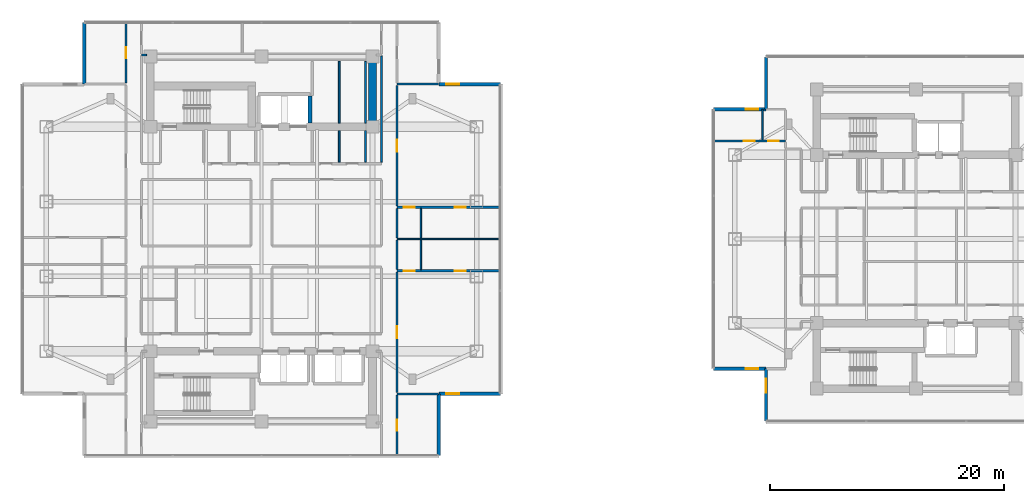
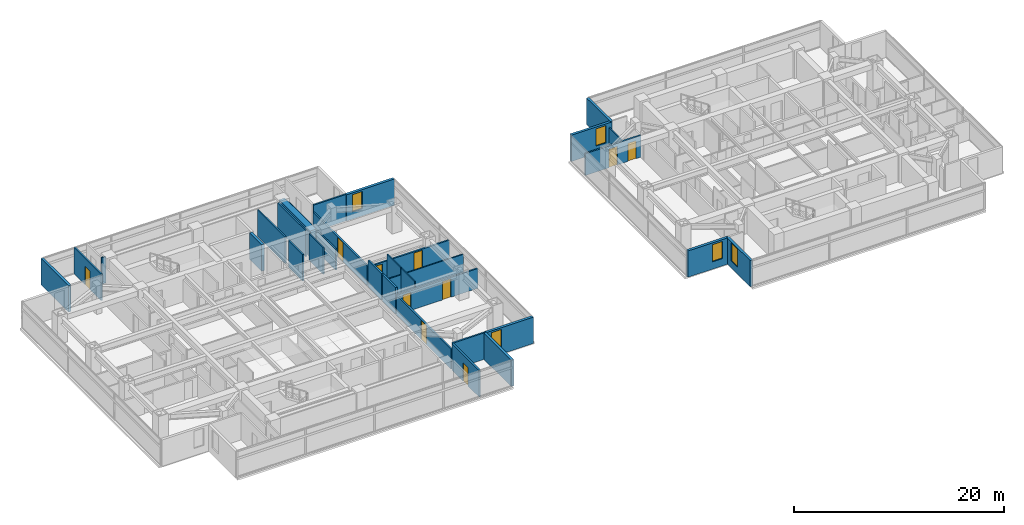
# One storey, part 16 of 27: 31 walls, 10 doors, 5 windows, 15 openings.
"""IFC4 building model written with IfcOpenShell, lengths in metres."""

from ifc_helpers import new_model, si_unit, direction, frame, frame_2d, origin, place, context, subcontext, project, spatial, rectangle, extrude, material, layer, layer_set, type_object, element, fill, save


model = new_model("IFC4")

# Units and contexts
model_context = context("Model", 3, precision=1e-05, world=origin(), true_north=direction((0.0, 1.0)))
body_context = subcontext(model_context, "Body", "Model", "MODEL_VIEW")
ifc_project = project(units=[si_unit("LENGTHUNIT", "METRE"), si_unit("AREAUNIT", "SQUARE_METRE"), si_unit("VOLUMEUNIT", "CUBIC_METRE"), si_unit("PLANEANGLEUNIT", "RADIAN"), si_unit("MASSUNIT", "GRAM", prefix="KILO")], contexts=[model_context])

# Site, building, storey
site_placement = place(None, origin())
site = spatial("IfcSite", under=ifc_project, at=site_placement, CompositionType="ELEMENT")
building_placement = place(site_placement, origin())
building = spatial("IfcBuilding", under=site, at=building_placement, Name="Mirazonda Arch Towers", CompositionType="ELEMENT")
storey_placement = place(building_placement, frame((0.0, 0.0, 124.699951171875)))
storey = spatial("IfcBuildingStorey", under=building, at=storey_placement, Name="L35", CompositionType="ELEMENT", Elevation=124.699951171875)

# Wall
ifc_material_1 = material(Name="Concrete C60/75", Category="concrete")
ifc_layer_1 = layer(ifc_material_1, 0.64990234375, Name="WALL-CORE-650")
ifc_layer_set_1 = layer_set([ifc_layer_1], Name="Concrete C60/75")
wall_type_1 = type_object("IfcWallType", Name="WALL-CORE-650", PredefinedType="SHEAR", material=ifc_layer_set_1)
wall_1_placement = place(storey_placement, frame((30.0, 37.60009765625, 0.0), z_axis=(0.0, 0.0, 1.0), x_axis=(0.0, 1.0, 0.0)))
element("IfcWall", 1, at=wall_1_placement, inside=storey, type_object=wall_type_1, Name="L35 T1N-E Core Shear Wall", PredefinedType="SHEAR", context=body_context, shape_type="SweptSolid", body=[
    extrude(rectangle(XDim=6.0, YDim=0.64990234375, at=frame_2d((3.0, 0.0))), origin(), (0.0, 0.0, 1.0), 3.080078125),
])

# Wall, opening, window
ifc_material_2 = material(Name="Precast Concrete C40/50", Category="concrete")
ifc_layer_2 = layer(ifc_material_2, 0.280029296875, Name="WALL-EXT-WALL-280")
ifc_layer_set_2 = layer_set([ifc_layer_2], Name="Precast Concrete C40/50")
wall_type_2 = type_object("IfcWallType", Name="WALL-EXT-WALL-280", PredefinedType="SOLIDWALL", material=ifc_layer_set_2)
wall_2_placement = place(storey_placement, frame((35.669921875, 14.75390625, 0.0), z_axis=(0.0, 0.0, 1.0), x_axis=(1.0, 0.0, 0.0)))
wall_2 = element("IfcWall", 2, at=wall_2_placement, inside=storey, type_object=wall_type_2, Name="L35 T1 Corner Notch Return Wall WL-L35-T1-CSE1", PredefinedType="SOLIDWALL", context=body_context, shape_type="SweptSolid", body=[
    extrude(rectangle(XDim=5.27001953125, YDim=0.280029296875, at=frame_2d((2.635009765625, 0.0))), origin(), (0.0, 0.0, 1.0), 3.06005859375),
])
opening_1_placement = place(wall_2_placement, frame((0.64990234375, 0.0, 0.85009765625)))
opening_1 = element("IfcOpeningElement", 3, at=opening_1_placement, cuts=wall_2, Name="Opening WN-108", PredefinedType="OPENING", context=body_context, shape_type="SweptSolid", body=[
    extrude(rectangle(XDim=1.10009765625, YDim=2.0, at=frame_2d((0.550048828125, 1.0))), frame((0.0, 0.14990234375, 0.0), z_axis=(0.0, -1.0, 0.0), x_axis=(1.0, 0.0, 0.0)), (0.0, 0.0, 1.0), 0.300048828125),
])
ifc_material_3 = material(Name="Insulated Low-E Solar Glass", Category="glass")
window_type_1 = type_object("IfcWindowType", Name="WIN-NOTCH-1100x2000", PartitioningType="SINGLE_PANEL", PredefinedType="WINDOW", material=ifc_material_3)
window_1_placement = place(opening_1_placement, origin())
window_1 = element("IfcWindow", 4, at=window_1_placement, inside=storey, type_object=window_type_1, Name="L35 Punched Facade Window WN-L35-T1-CSE1", OverallHeight=2.0, OverallWidth=1.10009765625, PartitioningType="SINGLE_PANEL", PredefinedType="WINDOW", context=body_context, shape_type="SweptSolid", body=[
    extrude(rectangle(XDim=1.10009765625, YDim=2.0, at=frame_2d((0.550048828125, 1.0))), frame((0.0, 0.030029296875, 0.0), z_axis=(0.0, -1.0, 0.0), x_axis=(1.0, 0.0, 0.0)), (0.0, 0.0, 1.0), 0.06005859375),
])
fill(opening_1, window_1)

# Walls
for number, where, z_axis, x_axis, name in (
    (5, (35.669921875, 9.48388671875, 0.0), (0.0, 0.0, 1.0), (0.0, 1.0, 0.0), "L35 T1 Corner Notch Return Wall WL-L35-T1-CSE2"),
    (6, (5.330078125, 46.51611328125, 0.0), (0.0, 0.0, 1.0), (0.0, -1.0, 0.0), "L35 T1 Corner Notch Return Wall WL-L35-T1-CNW2"),
):
    element("IfcWall", number, at=place(storey_placement, frame(where, z_axis=z_axis, x_axis=x_axis)), inside=storey, type_object=wall_type_2, Name=name, PredefinedType="SOLIDWALL", context=body_context, shape_type="SweptSolid", body=[
        extrude(rectangle(XDim=5.27001953125, YDim=0.280029296875, at=frame_2d((2.635009765625, 0.0))), origin(), (0.0, 0.0, 1.0), 3.06005859375),
    ])

# Wall, opening, window
wall_3_placement = place(storey_placement, frame((40.93994140625, 41.24609375, 0.0), z_axis=(0.0, 0.0, 1.0), x_axis=(-1.0, 0.0, 0.0)))
wall_3 = element("IfcWall", 7, at=wall_3_placement, inside=storey, type_object=wall_type_2, Name="L35 T1 Corner Notch Return Wall WL-L35-T1-CNE2", PredefinedType="SOLIDWALL", context=body_context, shape_type="SweptSolid", body=[
    extrude(rectangle(XDim=5.27001953125, YDim=0.280029296875, at=frame_2d((2.635009765625, 0.0))), origin(), (0.0, 0.0, 1.0), 3.06005859375),
])
opening_2_placement = place(wall_3_placement, frame((3.52001953125, 0.0, 0.85009765625)))
opening_2 = element("IfcOpeningElement", 8, at=opening_2_placement, cuts=wall_3, Name="Opening WN-108", PredefinedType="OPENING", context=body_context, shape_type="SweptSolid", body=[
    extrude(rectangle(XDim=1.10009765625, YDim=2.0, at=frame_2d((0.550048828125, 1.0))), frame((0.0, 0.14990234375, 0.0), z_axis=(0.0, -1.0, 0.0), x_axis=(1.0, 0.0, 0.0)), (0.0, 0.0, 1.0), 0.300048828125),
])
window_2_placement = place(opening_2_placement, origin())
window_2 = element("IfcWindow", 9, at=window_2_placement, inside=storey, type_object=window_type_1, Name="L35 Punched Facade Window WN-L35-T1-CNE2", OverallHeight=2.0, OverallWidth=1.10009765625, PartitioningType="SINGLE_PANEL", PredefinedType="WINDOW", context=body_context, shape_type="SweptSolid", body=[
    extrude(rectangle(XDim=1.10009765625, YDim=2.0, at=frame_2d((0.550048828125, 1.0))), frame((0.0, 0.030029296875, 0.0), z_axis=(0.0, -1.0, 0.0), x_axis=(1.0, 0.0, 0.0)), (0.0, 0.0, 1.0), 0.06005859375),
])
fill(opening_2, window_2)

wall_4_placement = place(storey_placement, frame((63.66552734375, 16.90087890625, 0.0), z_axis=(0.0, 0.0, 1.0), x_axis=(0.0, -1.0, 0.0)))
wall_4 = element("IfcWall", 10, at=wall_4_placement, inside=storey, type_object=wall_type_2, Name="L35 T2 Notched SW Corner Wall WL-L35-T2-CSW", PredefinedType="SOLIDWALL", context=body_context, shape_type="SweptSolid", body=[
    extrude(rectangle(XDim=4.486572265625, YDim=0.280029296875, at=frame_2d((2.2431640625, 0.0))), origin(), (0.0, 0.0, 1.0), 3.06005859375),
])
opening_3_placement = place(wall_4_placement, frame((0.85009765625, 0.0, 0.81005859375)))
opening_3 = element("IfcOpeningElement", 11, at=opening_3_placement, cuts=wall_4, Name="Opening WN-122", PredefinedType="OPENING", context=body_context, shape_type="SweptSolid", body=[
    extrude(rectangle(XDim=1.199951171875, YDim=2.10009765625, at=frame_2d((0.60009765625, 1.050048828125))), frame((0.0, 0.14990234375, 0.0), z_axis=(0.0, -1.0, 0.0), x_axis=(1.0, 0.0, 0.0)), (0.0, 0.0, 1.0), 0.300048828125),
])
window_type_2 = type_object("IfcWindowType", Name="WIN-HTL-1200x2100", PartitioningType="SINGLE_PANEL", PredefinedType="WINDOW", material=ifc_material_3)
window_3_placement = place(opening_3_placement, origin())
window_3 = element("IfcWindow", 12, at=window_3_placement, inside=storey, type_object=window_type_2, Name="L35 Punched Facade Window WN-L35-T2-CSW", OverallHeight=2.10009765625, OverallWidth=1.199951171875, PartitioningType="SINGLE_PANEL", PredefinedType="WINDOW", context=body_context, shape_type="SweptSolid", body=[
    extrude(rectangle(XDim=1.199951171875, YDim=2.10009765625, at=frame_2d((0.60009765625, 1.050048828125))), frame((0.0, 0.030029296875, 0.0), z_axis=(0.0, -1.0, 0.0), x_axis=(1.0, 0.0, 0.0)), (0.0, 0.0, 1.0), 0.06005859375),
])
fill(opening_3, window_3)

wall_5_placement = place(storey_placement, frame((59.178955078125, 16.90087890625, 0.0), z_axis=(0.0, 0.0, 1.0), x_axis=(1.0, 0.0, 0.0)))
wall_5 = element("IfcWall", 13, at=wall_5_placement, inside=storey, type_object=wall_type_2, Name="L35 T2 Corner Notch Return Wall WL-L35-T2-CSW2", PredefinedType="SOLIDWALL", context=body_context, shape_type="SweptSolid", body=[
    extrude(rectangle(XDim=4.486572265625, YDim=0.280029296875, at=frame_2d((2.2431640625, 0.0))), origin(), (0.0, 0.0, 1.0), 3.06005859375),
])
opening_4_placement = place(wall_5_placement, frame((2.736083984375, 0.0, 0.85009765625)))
opening_4 = element("IfcOpeningElement", 14, at=opening_4_placement, cuts=wall_5, Name="Opening WN-108", PredefinedType="OPENING", context=body_context, shape_type="SweptSolid", body=[
    extrude(rectangle(XDim=1.10009765625, YDim=2.0, at=frame_2d((0.550048828125, 1.0))), frame((0.0, 0.14990234375, 0.0), z_axis=(0.0, -1.0, 0.0), x_axis=(1.0, 0.0, 0.0)), (0.0, 0.0, 1.0), 0.300048828125),
])
window_4_placement = place(opening_4_placement, origin())
window_4 = element("IfcWindow", 15, at=window_4_placement, inside=storey, type_object=window_type_1, Name="L35 Punched Facade Window WN-L35-T2-CSW2", OverallHeight=2.0, OverallWidth=1.10009765625, PartitioningType="SINGLE_PANEL", PredefinedType="WINDOW", context=body_context, shape_type="SweptSolid", body=[
    extrude(rectangle(XDim=1.10009765625, YDim=2.0, at=frame_2d((0.550048828125, 1.0))), frame((0.0, 0.030029296875, 0.0), z_axis=(0.0, -1.0, 0.0), x_axis=(1.0, 0.0, 0.0)), (0.0, 0.0, 1.0), 0.06005859375),
])
fill(opening_4, window_4)

wall_6_placement = place(storey_placement, frame((63.66552734375, 39.09912109375, 0.0), z_axis=(0.0, 0.0, 1.0), x_axis=(-1.0, 0.0, 0.0)))
wall_6 = element("IfcWall", 16, at=wall_6_placement, inside=storey, type_object=wall_type_2, Name="L35 T2 Corner Notch Return Wall WL-L35-T2-CNW1", PredefinedType="SOLIDWALL", context=body_context, shape_type="SweptSolid", body=[
    extrude(rectangle(XDim=4.486572265625, YDim=0.280029296875, at=frame_2d((2.2431640625, 0.0))), origin(), (0.0, 0.0, 1.0), 3.06005859375),
])
opening_5_placement = place(wall_6_placement, frame((0.64990234375, 0.0, 0.85009765625)))
opening_5 = element("IfcOpeningElement", 17, at=opening_5_placement, cuts=wall_6, Name="Opening WN-108", PredefinedType="OPENING", context=body_context, shape_type="SweptSolid", body=[
    extrude(rectangle(XDim=1.10009765625, YDim=2.0, at=frame_2d((0.550048828125, 1.0))), frame((0.0, 0.14990234375, 0.0), z_axis=(0.0, -1.0, 0.0), x_axis=(1.0, 0.0, 0.0)), (0.0, 0.0, 1.0), 0.300048828125),
])
window_5_placement = place(opening_5_placement, origin())
window_5 = element("IfcWindow", 18, at=window_5_placement, inside=storey, type_object=window_type_1, Name="L35 Punched Facade Window WN-L35-T2-CNW1", OverallHeight=2.0, OverallWidth=1.10009765625, PartitioningType="SINGLE_PANEL", PredefinedType="WINDOW", context=body_context, shape_type="SweptSolid", body=[
    extrude(rectangle(XDim=1.10009765625, YDim=2.0, at=frame_2d((0.550048828125, 1.0))), frame((0.0, 0.030029296875, 0.0), z_axis=(0.0, -1.0, 0.0), x_axis=(1.0, 0.0, 0.0)), (0.0, 0.0, 1.0), 0.06005859375),
])
fill(opening_5, window_5)

# Walls
wall_7_placement = place(storey_placement, frame((63.66552734375, 43.585693359375, 0.0), z_axis=(0.0, 0.0, 1.0), x_axis=(0.0, -1.0, 0.0)))
element("IfcWall", 19, at=wall_7_placement, inside=storey, type_object=wall_type_2, Name="L35 T2 Corner Notch Return Wall WL-L35-T2-CNW2", PredefinedType="SOLIDWALL", context=body_context, shape_type="SweptSolid", body=[
    extrude(rectangle(XDim=4.486572265625, YDim=0.280029296875, at=frame_2d((2.2431640625, 0.0))), origin(), (0.0, 0.0, 1.0), 3.06005859375),
])
ifc_material_4 = material(Name="Fire-Rated Gypsum Stud Partition")
ifc_layer_3 = layer(ifc_material_4, 0.14990234375, Name="WALL-PART-CORR-150")
ifc_layer_set_3 = layer_set([ifc_layer_3], Name="Fire-Rated Gypsum Stud Partition")
wall_type_3 = type_object("IfcWallType", Name="WALL-PART-CORR-150", PredefinedType="PARTITIONING", material=ifc_layer_set_3)
wall_8_placement = place(storey_placement, frame((10.239990234375, 43.75, 0.0), z_axis=(0.0, 0.0, 1.0), x_axis=(1.0, 0.0, 0.0)))
element("IfcWall", 20, at=wall_8_placement, inside=storey, type_object=wall_type_3, Name="L35 Interior Partition 057", PredefinedType="PARTITIONING", context=body_context, shape_type="SweptSolid", body=[
    extrude(rectangle(XDim=0.43994140625, YDim=0.14990234375, at=frame_2d((0.219970703125, 0.0))), origin(), (0.0, 0.0, 1.0), 3.080078125),
])
wall_9_placement = place(storey_placement, frame((27.14990234375, 34.570068359375, 0.0), z_axis=(0.0, 0.0, 1.0), x_axis=(0.0, 1.0, 0.0)))
element("IfcWall", 21, at=wall_9_placement, inside=storey, type_object=wall_type_3, Name="L35 Interior Partition 094", PredefinedType="PARTITIONING", context=body_context, shape_type="SweptSolid", body=[
    extrude(rectangle(XDim=2.7099609375, YDim=0.14990234375, at=frame_2d((1.35498046875, 0.0))), origin(), (0.0, 0.0, 1.0), 3.080078125),
])
wall_10_placement = place(storey_placement, frame((27.14990234375, 37.919921875, 0.0), z_axis=(0.0, 0.0, 1.0), x_axis=(0.0, 1.0, 0.0)))
element("IfcWall", 22, at=wall_10_placement, inside=storey, type_object=wall_type_3, Name="L35 Interior Partition 095", PredefinedType="PARTITIONING", context=body_context, shape_type="SweptSolid", body=[
    extrude(rectangle(XDim=5.280029296875, YDim=0.14990234375, at=frame_2d((2.64013671875, 0.0))), origin(), (0.0, 0.0, 1.0), 3.080078125),
])
wall_11_placement = place(storey_placement, frame((29.39990234375, 34.570068359375, 0.0), z_axis=(0.0, 0.0, 1.0), x_axis=(0.0, 1.0, 0.0)))
element("IfcWall", 23, at=wall_11_placement, inside=storey, type_object=wall_type_3, Name="L35 Interior Partition 097", PredefinedType="PARTITIONING", context=body_context, shape_type="SweptSolid", body=[
    extrude(rectangle(XDim=2.7099609375, YDim=0.14990234375, at=frame_2d((1.35498046875, 0.0))), origin(), (0.0, 0.0, 1.0), 3.080078125),
])
wall_12_placement = place(storey_placement, frame((29.39990234375, 37.919921875, 0.0), z_axis=(0.0, 0.0, 1.0), x_axis=(0.0, 1.0, 0.0)))
element("IfcWall", 24, at=wall_12_placement, inside=storey, type_object=wall_type_3, Name="L35 Interior Partition 098", PredefinedType="PARTITIONING", context=body_context, shape_type="SweptSolid", body=[
    extrude(rectangle(XDim=5.280029296875, YDim=0.14990234375, at=frame_2d((2.64013671875, 0.0))), origin(), (0.0, 0.0, 1.0), 3.080078125),
])
wall_13_placement = place(storey_placement, frame((30.760009765625, 34.570068359375, 0.0), z_axis=(0.0, 0.0, 1.0), x_axis=(0.0, 1.0, 0.0)))
element("IfcWall", 25, at=wall_13_placement, inside=storey, type_object=wall_type_3, Name="L35 Interior Partition 103", PredefinedType="PARTITIONING", context=body_context, shape_type="SweptSolid", body=[
    extrude(rectangle(XDim=9.094970703125, YDim=0.14990234375, at=frame_2d((4.54736328125, 0.0))), origin(), (0.0, 0.0, 1.0), 2.4560546875),
])
ifc_material_5 = material(Name="Fire-Rated Gypsum Twin-Stud Assembly")
ifc_layer_4 = layer(ifc_material_5, 0.179931640625, Name="WALL-PART-DEMISE-180")
ifc_layer_set_4 = layer_set([ifc_layer_4], Name="Fire-Rated Gypsum Twin-Stud Assembly")
wall_type_4 = type_object("IfcWallType", Name="WALL-PART-DEMISE-180", PredefinedType="PARTITIONING", material=ifc_layer_set_4)
wall_14_placement = place(storey_placement, frame((32.10009765625, 14.75390625, 0.0), z_axis=(0.0, 0.0, 1.0), x_axis=(1.0, 0.0, 0.0)))
element("IfcWall", 26, at=wall_14_placement, inside=storey, type_object=wall_type_4, Name="L35 Interior Partition 005", PredefinedType="PARTITIONING", context=body_context, shape_type="SweptSolid", body=[
    extrude(rectangle(XDim=3.5498046875, YDim=0.179931640625, at=frame_2d((1.77490234375, 0.0))), origin(), (0.0, 0.0, 1.0), 3.080078125),
])

# Wall, openings, doors
wall_15_placement = place(storey_placement, frame((32.10009765625, 25.280029296875, 0.0), z_axis=(0.0, 0.0, 1.0), x_axis=(1.0, 0.0, 0.0)))
wall_15 = element("IfcWall", 27, at=wall_15_placement, inside=storey, type_object=wall_type_4, Name="L35 Interior Partition 026", PredefinedType="PARTITIONING", context=body_context, shape_type="SweptSolid", body=[
    extrude(rectangle(XDim=8.83984375, YDim=0.179931640625, at=frame_2d((4.419921875, 0.0))), origin(), (0.0, 0.0, 1.0), 2.299072265625),
])
opening_6_placement = place(wall_15_placement, frame((4.945068359375, 0.0, 0.0)))
opening_6 = element("IfcOpeningElement", 28, at=opening_6_placement, cuts=wall_15, Name="Opening DR-104", PredefinedType="OPENING", context=body_context, shape_type="SweptSolid", body=[
    extrude(rectangle(XDim=0.949951171875, YDim=2.14990234375, at=frame_2d((0.47509765625, 1.074951171875))), frame((0.0, 0.099853515625, 0.0), z_axis=(0.0, -1.0, 0.0), x_axis=(1.0, 0.0, 0.0)), (0.0, 0.0, 1.0), 0.199951171875),
])
opening_7_placement = place(wall_15_placement, frame((0.590087890625, 0.0, 0.0)))
opening_7 = element("IfcOpeningElement", 29, at=opening_7_placement, cuts=wall_15, Name="Opening DR-120", PredefinedType="OPENING", context=body_context, shape_type="SweptSolid", body=[
    extrude(rectangle(XDim=0.89990234375, YDim=2.10009765625, at=frame_2d((0.449951171875, 1.050048828125))), frame((0.0, 0.099853515625, 0.0), z_axis=(0.0, -1.0, 0.0), x_axis=(1.0, 0.0, 0.0)), (0.0, 0.0, 1.0), 0.199951171875),
])
ifc_material_6 = material(Name="Architectural Brushed Steel S355", Category="steel")
door_type_1 = type_object("IfcDoorType", Name="DOOR-ROOM-950", OperationType="NOTDEFINED", PredefinedType="DOOR", material=ifc_material_6)
door_1_placement = place(opening_6_placement, origin())
door_1 = element("IfcDoor", 30, at=door_1_placement, inside=storey, type_object=door_type_1, Name="L35 Suite Bedroom 1 Door", OperationType="SINGLE_SWING_RIGHT", OverallHeight=2.14990234375, OverallWidth=0.949951171875, PredefinedType="DOOR", context=body_context, shape_type="SweptSolid", body=[
    extrude(rectangle(XDim=0.949951171875, YDim=2.14990234375, at=frame_2d((0.47509765625, 1.074951171875))), frame((0.0, 0.02490234375, 0.0), z_axis=(0.0, -1.0, 0.0), x_axis=(1.0, 0.0, 0.0)), (0.0, 0.0, 1.0), 0.050048828125),
])
fill(opening_6, door_1)
door_type_2 = type_object("IfcDoorType", Name="DOOR-WC-900", OperationType="NOTDEFINED", PredefinedType="DOOR", material=ifc_material_6)
door_2_placement = place(opening_7_placement, origin())
door_2 = element("IfcDoor", 31, at=door_2_placement, inside=storey, type_object=door_type_2, Name="L35 Suite En-Suite Bathroom 1 Door", OperationType="SINGLE_SWING_LEFT", OverallHeight=2.10009765625, OverallWidth=0.89990234375, PredefinedType="DOOR", context=body_context, shape_type="SweptSolid", body=[
    extrude(rectangle(XDim=0.89990234375, YDim=2.10009765625, at=frame_2d((0.449951171875, 1.050048828125))), frame((0.0, 0.02490234375, 0.0), z_axis=(0.0, -1.0, 0.0), x_axis=(1.0, 0.0, 0.0)), (0.0, 0.0, 1.0), 0.050048828125),
])
fill(opening_7, door_2)

wall_16_placement = place(storey_placement, frame((32.10009765625, 30.719970703125, 0.0), z_axis=(0.0, 0.0, 1.0), x_axis=(1.0, 0.0, 0.0)))
wall_16 = element("IfcWall", 32, at=wall_16_placement, inside=storey, type_object=wall_type_4, Name="L35 Interior Partition 039", PredefinedType="PARTITIONING", context=body_context, shape_type="SweptSolid", body=[
    extrude(rectangle(XDim=8.83984375, YDim=0.179931640625, at=frame_2d((4.419921875, 0.0))), origin(), (0.0, 0.0, 1.0), 2.299072265625),
])
opening_8_placement = place(wall_16_placement, frame((4.945068359375, 0.0, 0.0)))
opening_8 = element("IfcOpeningElement", 33, at=opening_8_placement, cuts=wall_16, Name="Opening DR-104", PredefinedType="OPENING", context=body_context, shape_type="SweptSolid", body=[
    extrude(rectangle(XDim=0.949951171875, YDim=2.14990234375, at=frame_2d((0.47509765625, 1.074951171875))), frame((0.0, 0.099853515625, 0.0), z_axis=(0.0, -1.0, 0.0), x_axis=(1.0, 0.0, 0.0)), (0.0, 0.0, 1.0), 0.199951171875),
])
opening_9_placement = place(wall_16_placement, frame((0.590087890625, 0.0, 0.0)))
opening_9 = element("IfcOpeningElement", 34, at=opening_9_placement, cuts=wall_16, Name="Opening DR-120", PredefinedType="OPENING", context=body_context, shape_type="SweptSolid", body=[
    extrude(rectangle(XDim=0.89990234375, YDim=2.10009765625, at=frame_2d((0.449951171875, 1.050048828125))), frame((0.0, 0.099853515625, 0.0), z_axis=(0.0, -1.0, 0.0), x_axis=(1.0, 0.0, 0.0)), (0.0, 0.0, 1.0), 0.199951171875),
])
door_3_placement = place(opening_8_placement, origin())
door_3 = element("IfcDoor", 35, at=door_3_placement, inside=storey, type_object=door_type_1, Name="L35 Suite Bedroom 2 Door", OperationType="SINGLE_SWING_LEFT", OverallHeight=2.14990234375, OverallWidth=0.949951171875, PredefinedType="DOOR", context=body_context, shape_type="SweptSolid", body=[
    extrude(rectangle(XDim=0.949951171875, YDim=2.14990234375, at=frame_2d((0.47509765625, 1.074951171875))), frame((0.0, 0.02490234375, 0.0), z_axis=(0.0, -1.0, 0.0), x_axis=(1.0, 0.0, 0.0)), (0.0, 0.0, 1.0), 0.050048828125),
])
fill(opening_8, door_3)
door_4_placement = place(opening_9_placement, origin())
door_4 = element("IfcDoor", 36, at=door_4_placement, inside=storey, type_object=door_type_2, Name="L35 Suite En-Suite Bathroom 2 Door", OperationType="SINGLE_SWING_RIGHT", OverallHeight=2.10009765625, OverallWidth=0.89990234375, PredefinedType="DOOR", context=body_context, shape_type="SweptSolid", body=[
    extrude(rectangle(XDim=0.89990234375, YDim=2.10009765625, at=frame_2d((0.449951171875, 1.050048828125))), frame((0.0, 0.02490234375, 0.0), z_axis=(0.0, -1.0, 0.0), x_axis=(1.0, 0.0, 0.0)), (0.0, 0.0, 1.0), 0.050048828125),
])
fill(opening_9, door_4)

wall_17_placement = place(storey_placement, frame((59.178955078125, 36.37890625, 0.0), z_axis=(0.0, 0.0, 1.0), x_axis=(1.0, 0.0, 0.0)))
wall_17 = element("IfcWall", 37, at=wall_17_placement, inside=storey, type_object=wall_type_4, Name="L35 Interior Partition 049", PredefinedType="PARTITIONING", context=body_context, shape_type="SweptSolid", body=[
    extrude(rectangle(XDim=6.14111328125, YDim=0.179931640625, at=frame_2d((3.070556640625, 0.0))), origin(), (0.0, 0.0, 1.0), 2.52294921875),
])
opening_10_placement = place(wall_17_placement, frame((2.5830078125, 0.0, 0.0)))
opening_10 = element("IfcOpeningElement", 38, at=opening_10_placement, cuts=wall_17, Name="Opening DR-104", PredefinedType="OPENING", context=body_context, shape_type="SweptSolid", body=[
    extrude(rectangle(XDim=0.949951171875, YDim=2.14990234375, at=frame_2d((0.47509765625, 1.074951171875))), frame((0.0, 0.099853515625, 0.0), z_axis=(0.0, -1.0, 0.0), x_axis=(1.0, 0.0, 0.0)), (0.0, 0.0, 1.0), 0.199951171875),
])
opening_11_placement = place(wall_17_placement, frame((4.6884765625, 0.0, 0.0)))
opening_11 = element("IfcOpeningElement", 39, at=opening_11_placement, cuts=wall_17, Name="Opening DR-120", PredefinedType="OPENING", context=body_context, shape_type="SweptSolid", body=[
    extrude(rectangle(XDim=0.89990234375, YDim=2.10009765625, at=frame_2d((0.449951171875, 1.050048828125))), frame((0.0, 0.099853515625, 0.0), z_axis=(0.0, -1.0, 0.0), x_axis=(1.0, 0.0, 0.0)), (0.0, 0.0, 1.0), 0.199951171875),
])
door_5_placement = place(opening_10_placement, origin())
door_5 = element("IfcDoor", 40, at=door_5_placement, inside=storey, type_object=door_type_1, Name="L35 Suite Bedroom 1 Door", OperationType="SINGLE_SWING_RIGHT", OverallHeight=2.14990234375, OverallWidth=0.949951171875, PredefinedType="DOOR", context=body_context, shape_type="SweptSolid", body=[
    extrude(rectangle(XDim=0.949951171875, YDim=2.14990234375, at=frame_2d((0.47509765625, 1.074951171875))), frame((0.0, 0.02490234375, 0.0), z_axis=(0.0, -1.0, 0.0), x_axis=(1.0, 0.0, 0.0)), (0.0, 0.0, 1.0), 0.050048828125),
])
fill(opening_10, door_5)
door_6_placement = place(opening_11_placement, origin())
door_6 = element("IfcDoor", 41, at=door_6_placement, inside=storey, type_object=door_type_2, Name="L35 Suite En-Suite Bathroom 1 Door", OperationType="SINGLE_SWING_LEFT", OverallHeight=2.10009765625, OverallWidth=0.89990234375, PredefinedType="DOOR", context=body_context, shape_type="SweptSolid", body=[
    extrude(rectangle(XDim=0.89990234375, YDim=2.10009765625, at=frame_2d((0.449951171875, 1.050048828125))), frame((0.0, 0.02490234375, 0.0), z_axis=(0.0, -1.0, 0.0), x_axis=(1.0, 0.0, 0.0)), (0.0, 0.0, 1.0), 0.050048828125),
])
fill(opening_11, door_6)

# Wall
wall_18_placement = place(storey_placement, frame((32.10009765625, 41.24609375, 0.0), z_axis=(0.0, 0.0, 1.0), x_axis=(1.0, 0.0, 0.0)))
element("IfcWall", 42, at=wall_18_placement, inside=storey, type_object=wall_type_4, Name="L35 Interior Partition 056", PredefinedType="PARTITIONING", context=body_context, shape_type="SweptSolid", body=[
    extrude(rectangle(XDim=3.5498046875, YDim=0.179931640625, at=frame_2d((1.77490234375, 0.0))), origin(), (0.0, 0.0, 1.0), 3.080078125),
])

# Wall, opening, door
wall_19_placement = place(storey_placement, frame((8.89990234375, 41.345947265625, 0.0), z_axis=(0.0, 0.0, 1.0), x_axis=(0.0, 1.0, 0.0)))
wall_19 = element("IfcWall", 43, at=wall_19_placement, inside=storey, type_object=wall_type_4, Name="L35 Interior Partition 066", PredefinedType="PARTITIONING", context=body_context, shape_type="SweptSolid", body=[
    extrude(rectangle(XDim=5.170166015625, YDim=0.179931640625, at=frame_2d((2.5849609375, 0.0))), origin(), (0.0, 0.0, 1.0), 3.080078125),
])
opening_12_placement = place(wall_19_placement, frame((2.110107421875, 0.0, 0.0)))
opening_12 = element("IfcOpeningElement", 44, at=opening_12_placement, cuts=wall_19, Name="Opening DR-104", PredefinedType="OPENING", context=body_context, shape_type="SweptSolid", body=[
    extrude(rectangle(XDim=0.949951171875, YDim=2.14990234375, at=frame_2d((0.47509765625, 1.074951171875))), frame((0.0, 0.099853515625, 0.0), z_axis=(0.0, -1.0, 0.0), x_axis=(1.0, 0.0, 0.0)), (0.0, 0.0, 1.0), 0.199951171875),
])
door_7_placement = place(opening_12_placement, origin())
door_7 = element("IfcDoor", 45, at=door_7_placement, inside=storey, type_object=door_type_1, Name="L35 North Reading Salon Alcove West Door", OperationType="SINGLE_SWING_RIGHT", OverallHeight=2.14990234375, OverallWidth=0.949951171875, PredefinedType="DOOR", context=body_context, shape_type="SweptSolid", body=[
    extrude(rectangle(XDim=0.949951171875, YDim=2.14990234375, at=frame_2d((0.47509765625, 1.074951171875))), frame((0.0, 0.02490234375, 0.0), z_axis=(0.0, -1.0, 0.0), x_axis=(1.0, 0.0, 0.0)), (0.0, 0.0, 1.0), 0.050048828125),
])
fill(opening_12, door_7)

wall_20_placement = place(storey_placement, frame((32.10009765625, 9.48388671875, 0.0), z_axis=(0.0, 0.0, 1.0), x_axis=(0.0, 1.0, 0.0)))
wall_20 = element("IfcWall", 46, at=wall_20_placement, inside=storey, type_object=wall_type_4, Name="L35 Interior Partition 105", PredefinedType="PARTITIONING", context=body_context, shape_type="SweptSolid", body=[
    extrude(rectangle(XDim=5.170166015625, YDim=0.179931640625, at=frame_2d((2.5849609375, 0.0))), origin(), (0.0, 0.0, 1.0), 3.080078125),
])
opening_13_placement = place(wall_20_placement, frame((2.110107421875, 0.0, 0.0)))
opening_13 = element("IfcOpeningElement", 47, at=opening_13_placement, cuts=wall_20, Name="Opening DR-104", PredefinedType="OPENING", context=body_context, shape_type="SweptSolid", body=[
    extrude(rectangle(XDim=0.949951171875, YDim=2.14990234375, at=frame_2d((0.47509765625, 1.074951171875))), frame((0.0, 0.099853515625, 0.0), z_axis=(0.0, -1.0, 0.0), x_axis=(1.0, 0.0, 0.0)), (0.0, 0.0, 1.0), 0.199951171875),
])
door_8_placement = place(opening_13_placement, origin())
door_8 = element("IfcDoor", 48, at=door_8_placement, inside=storey, type_object=door_type_1, Name="L35 South Horizon Lounge Alcove East Door", OperationType="SINGLE_SWING_LEFT", OverallHeight=2.14990234375, OverallWidth=0.949951171875, PredefinedType="DOOR", context=body_context, shape_type="SweptSolid", body=[
    extrude(rectangle(XDim=0.949951171875, YDim=2.14990234375, at=frame_2d((0.47509765625, 1.074951171875))), frame((0.0, 0.02490234375, 0.0), z_axis=(0.0, -1.0, 0.0), x_axis=(1.0, 0.0, 0.0)), (0.0, 0.0, 1.0), 0.050048828125),
])
fill(opening_13, door_8)

wall_21_placement = place(storey_placement, frame((32.10009765625, 14.85400390625, 0.0), z_axis=(0.0, 0.0, 1.0), x_axis=(0.0, 1.0, 0.0)))
wall_21 = element("IfcWall", 49, at=wall_21_placement, inside=storey, type_object=wall_type_4, Name="L35 Interior Partition 106", PredefinedType="PARTITIONING", context=body_context, shape_type="SweptSolid", body=[
    extrude(rectangle(XDim=10.325927734375, YDim=0.179931640625, at=frame_2d((5.1630859375, 0.0))), origin(), (0.0, 0.0, 1.0), 2.299072265625),
])
opening_14_placement = place(wall_21_placement, frame((4.637939453125, 0.0, 0.0)))
opening_14 = element("IfcOpeningElement", 50, at=opening_14_placement, cuts=wall_21, Name="Opening DR-121", PredefinedType="OPENING", context=body_context, shape_type="SweptSolid", body=[
    extrude(rectangle(XDim=1.050048828125, YDim=2.199951171875, at=frame_2d((0.52490234375, 1.10009765625))), frame((0.0, 0.099853515625, 0.0), z_axis=(0.0, -1.0, 0.0), x_axis=(1.0, 0.0, 0.0)), (0.0, 0.0, 1.0), 0.199951171875),
])
door_type_3 = type_object("IfcDoorType", Name="DOOR-SUITE-FD60-1050", OperationType="NOTDEFINED", PredefinedType="DOOR", material=ifc_material_6)
door_9_placement = place(opening_14_placement, origin())
door_9 = element("IfcDoor", 51, at=door_9_placement, inside=storey, type_object=door_type_3, Name="L35 Presidential Hotel Suite 1 Door", OperationType="SINGLE_SWING_LEFT", OverallHeight=2.199951171875, OverallWidth=1.050048828125, PredefinedType="DOOR", context=body_context, shape_type="SweptSolid", body=[
    extrude(rectangle(XDim=1.050048828125, YDim=2.199951171875, at=frame_2d((0.52490234375, 1.10009765625))), frame((0.0, 0.02490234375, 0.0), z_axis=(0.0, -1.0, 0.0), x_axis=(1.0, 0.0, 0.0)), (0.0, 0.0, 1.0), 0.050048828125),
])
fill(opening_14, door_9)

# Walls
for number, where, z_axis, x_axis, name in (
    (52, (32.10009765625, 25.3798828125, 0.0), (0.0, 0.0, 1.0), (0.0, 1.0, 0.0), "L35 Interior Partition 107"),
    (53, (32.10009765625, 28.072509765625, 0.0), (0.0, 0.0, 1.0), (0.0, 1.0, 0.0), "L35 Interior Partition 108"),
):
    element("IfcWall", number, at=place(storey_placement, frame(where, z_axis=z_axis, x_axis=x_axis)), inside=storey, type_object=wall_type_4, Name=name, PredefinedType="PARTITIONING", context=body_context, shape_type="SweptSolid", body=[
        extrude(rectangle(XDim=2.547607421875, YDim=0.179931640625, at=frame_2d((1.27392578125, 0.0))), origin(), (0.0, 0.0, 1.0), 3.080078125),
    ])

# Wall, opening, door
wall_22_placement = place(storey_placement, frame((32.10009765625, 30.820068359375, 0.0), z_axis=(0.0, 0.0, 1.0), x_axis=(0.0, 1.0, 0.0)))
wall_22 = element("IfcWall", 54, at=wall_22_placement, inside=storey, type_object=wall_type_4, Name="L35 Interior Partition 109", PredefinedType="PARTITIONING", context=body_context, shape_type="SweptSolid", body=[
    extrude(rectangle(XDim=10.325927734375, YDim=0.179931640625, at=frame_2d((5.1630859375, 0.0))), origin(), (0.0, 0.0, 1.0), 2.299072265625),
])
opening_15_placement = place(wall_22_placement, frame((4.637939453125, 0.0, 0.0)))
opening_15 = element("IfcOpeningElement", 55, at=opening_15_placement, cuts=wall_22, Name="Opening DR-121", PredefinedType="OPENING", context=body_context, shape_type="SweptSolid", body=[
    extrude(rectangle(XDim=1.050048828125, YDim=2.199951171875, at=frame_2d((0.52490234375, 1.10009765625))), frame((0.0, 0.099853515625, 0.0), z_axis=(0.0, -1.0, 0.0), x_axis=(1.0, 0.0, 0.0)), (0.0, 0.0, 1.0), 0.199951171875),
])
door_10_placement = place(opening_15_placement, origin())
door_10 = element("IfcDoor", 56, at=door_10_placement, inside=storey, type_object=door_type_3, Name="L35 Presidential Hotel Suite 2 Door", OperationType="SINGLE_SWING_RIGHT", OverallHeight=2.199951171875, OverallWidth=1.050048828125, PredefinedType="DOOR", context=body_context, shape_type="SweptSolid", body=[
    extrude(rectangle(XDim=1.050048828125, YDim=2.199951171875, at=frame_2d((0.52490234375, 1.10009765625))), frame((0.0, 0.02490234375, 0.0), z_axis=(0.0, -1.0, 0.0), x_axis=(1.0, 0.0, 0.0)), (0.0, 0.0, 1.0), 0.050048828125),
])
fill(opening_15, door_10)

# Walls
ifc_material_7 = material(Name="Acoustic Fire-Rated Gypsum Partition")
ifc_layer_5 = layer(ifc_material_7, 0.125, Name="WALL-PART-UNIT-125")
ifc_layer_set_5 = layer_set([ifc_layer_5], Name="Acoustic Fire-Rated Gypsum Partition")
wall_type_5 = type_object("IfcWallType", Name="WALL-PART-UNIT-125", PredefinedType="PARTITIONING", material=ifc_layer_set_5)
wall_23_placement = place(storey_placement, frame((32.10009765625, 28.0, 0.0), z_axis=(0.0, 0.0, 1.0), x_axis=(1.0, 0.0, 0.0)))
element("IfcWall", 57, at=wall_23_placement, inside=storey, type_object=wall_type_5, Name="L35 Interior Partition 035", PredefinedType="PARTITIONING", context=body_context, shape_type="SweptSolid", body=[
    extrude(rectangle(XDim=8.83984375, YDim=0.125, at=frame_2d((4.419921875, 0.0))), origin(), (0.0, 0.0, 1.0), 2.299072265625),
])
for number, where, z_axis, x_axis, name in (
    (58, (34.139892578125, 25.3798828125, 0.0), (0.0, 0.0, 1.0), (0.0, 1.0, 0.0), "L35 Interior Partition 111"),
    (59, (34.139892578125, 28.072509765625, 0.0), (0.0, 0.0, 1.0), (0.0, 1.0, 0.0), "L35 Interior Partition 112"),
):
    element("IfcWall", number, at=place(storey_placement, frame(where, z_axis=z_axis, x_axis=x_axis)), inside=storey, type_object=wall_type_5, Name=name, PredefinedType="PARTITIONING", context=body_context, shape_type="SweptSolid", body=[
        extrude(rectangle(XDim=2.547607421875, YDim=0.125, at=frame_2d((1.27392578125, 0.0))), origin(), (0.0, 0.0, 1.0), 3.080078125),
    ])
wall_24_placement = place(storey_placement, frame((63.35498046875, 36.47900390625, 0.0), z_axis=(0.0, 0.0, 1.0), x_axis=(0.0, 1.0, 0.0)))
element("IfcWall", 60, at=wall_24_placement, inside=storey, type_object=wall_type_5, Name="L35 Interior Partition 113", PredefinedType="PARTITIONING", context=body_context, shape_type="SweptSolid", body=[
    extrude(rectangle(XDim=2.6201171875, YDim=0.125, at=frame_2d((1.31005859375, 0.0))), origin(), (0.0, 0.0, 1.0), 2.52294921875),
])
ifc_material_8 = material(Name="Concrete C50/60", Category="concrete")
ifc_layer_6 = layer(ifc_material_8, 0.300048828125, Name="WALL-SHAFT-300")
ifc_layer_set_6 = layer_set([ifc_layer_6], Name="Concrete C50/60")
wall_type_6 = type_object("IfcWallType", Name="WALL-SHAFT-300", PredefinedType="SOLIDWALL", material=ifc_layer_set_6)
wall_25_placement = place(storey_placement, frame((24.64990234375, 37.919921875, 0.0), z_axis=(0.0, 0.0, 1.0), x_axis=(0.0, 1.0, 0.0)))
element("IfcWall", 61, at=wall_25_placement, inside=storey, type_object=wall_type_6, Name="L35 Interior Partition 090", PredefinedType="SOLIDWALL", context=body_context, shape_type="SweptSolid", body=[
    extrude(rectangle(XDim=2.320068359375, YDim=0.300048828125, at=frame_2d((1.16015625, 0.0))), origin(), (0.0, 0.0, 1.0), 3.080078125),
])

save(model, "model.ifc")
